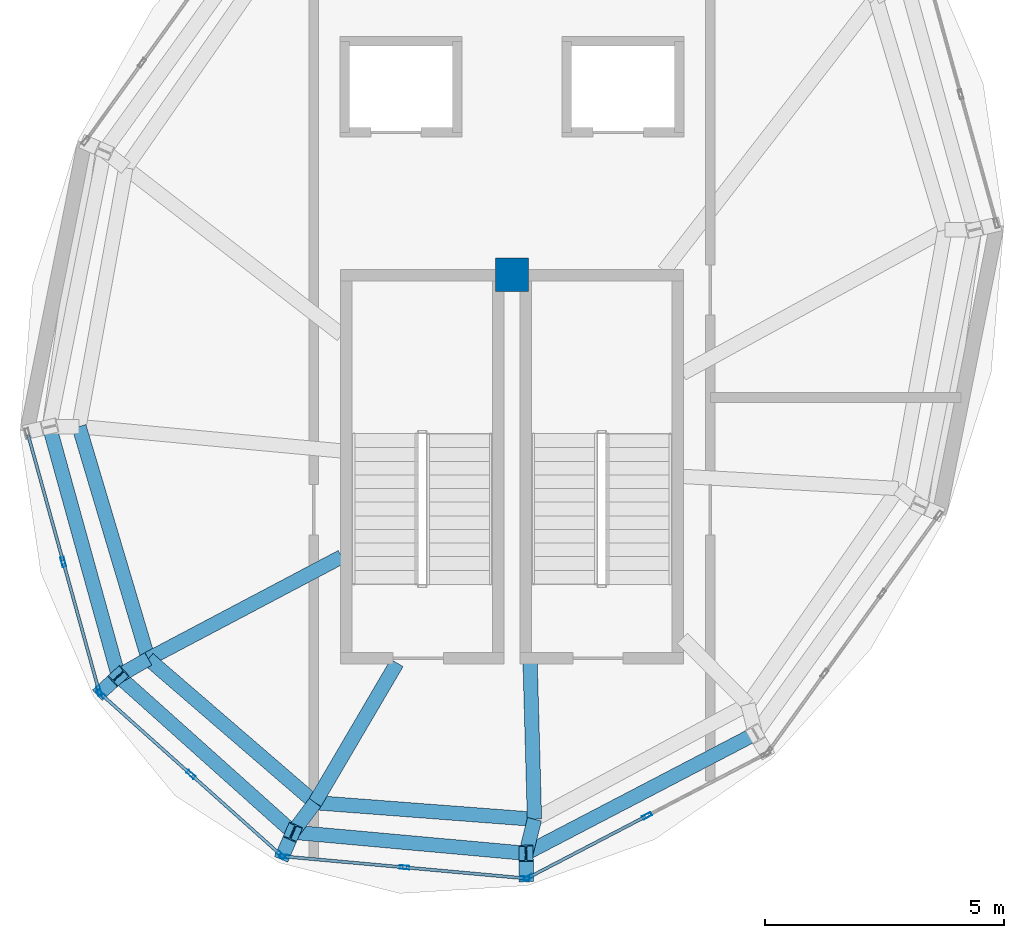
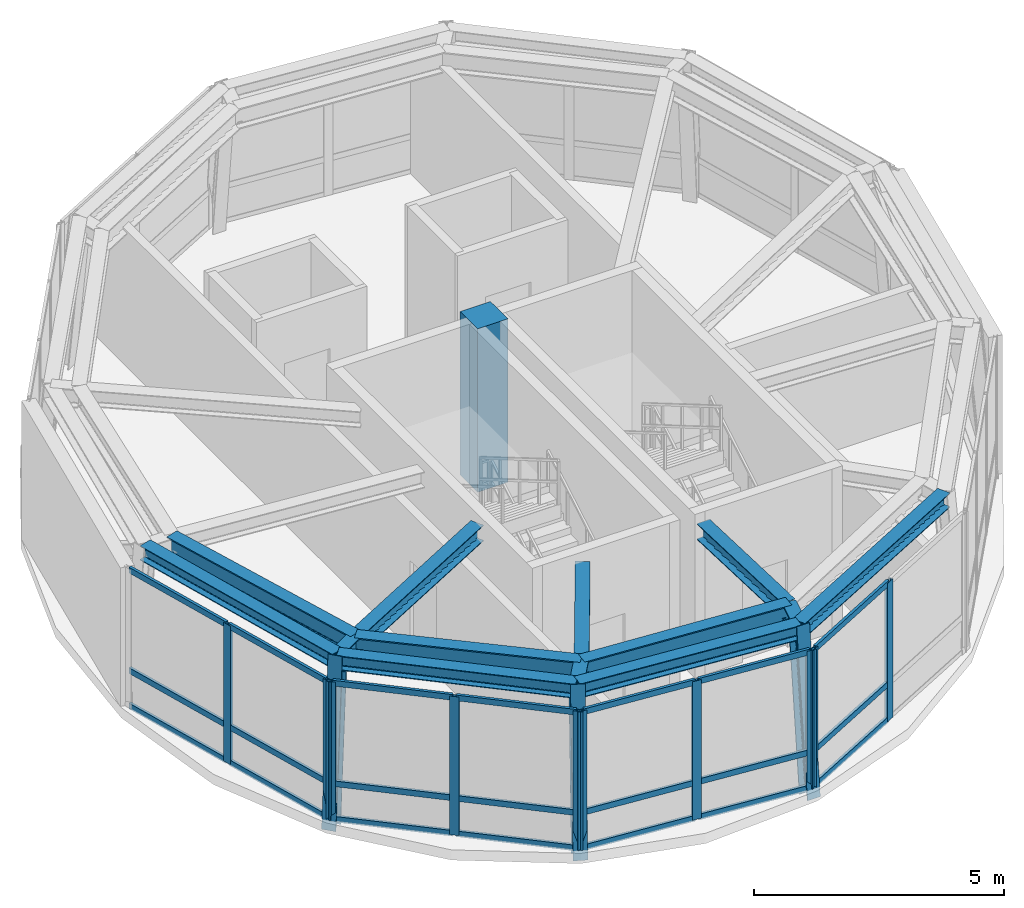
# One storey, part 1 of 9: 34 members, 13 beams, 1 column, 4 elements without a shape of their own.
"""IFC4 building model written with IfcOpenShell, lengths in metres."""

from ifc_helpers import new_model, si_unit, direction, frame, origin, origin_2d, place, context, subcontext, project, spatial, rectangle, hollow_rectangle, i_section, extrude, material, layer, layer_set, material_profile, profile_set, type_object, element, aggregate, save


model = new_model("IFC4")

# Units and contexts
model_context = context("Model", 3, precision=1e-05, world=origin(), true_north=direction((0.0, 1.0)))
body_context = subcontext(model_context, "Body", "Model", "MODEL_VIEW")
ifc_project = project(units=[si_unit("LENGTHUNIT", "METRE"), si_unit("AREAUNIT", "SQUARE_METRE"), si_unit("VOLUMEUNIT", "CUBIC_METRE"), si_unit("PLANEANGLEUNIT", "RADIAN"), si_unit("MASSUNIT", "GRAM", prefix="KILO"), si_unit("THERMODYNAMICTEMPERATUREUNIT", "KELVIN"), si_unit("POWERUNIT", "WATT")], contexts=[model_context])

# Site, building, storey
site_placement = place(None, origin())
site = spatial("IfcSite", under=ifc_project, at=site_placement, CompositionType="ELEMENT")
building_placement = place(site_placement, origin())
building = spatial("IfcBuilding", under=site, at=building_placement, Name="Ocrelia Relay Tower", CompositionType="ELEMENT")
storey_placement = place(building_placement, frame((0.0, 0.0, 304.0)))
storey = spatial("IfcBuildingStorey", under=building, at=storey_placement, Name="L76", CompositionType="ELEMENT", Elevation=304.0)

# Column
ifc_material_1 = material(Name="Concrete C50/60", Category="concrete")
ifc_material_profile_1 = material_profile(ifc_material_1, rectangle(XDim=0.699951171875, YDim=0.699951171875, at=origin_2d()), Name="RC-COL-700x700")
ifc_profile_set_1 = profile_set([ifc_material_profile_1], Name="Concrete C50/60")
column_type = type_object("IfcColumnType", Name="COL-CC-700", PredefinedType="COLUMN", material=ifc_profile_set_1)
column_placement = place(storey_placement, frame((34.0, 27.1201171875, 0.0), z_axis=(0.0, 0.0, 1.0), x_axis=(1.0, 0.0, 0.0)))
element("IfcColumn", 1, at=column_placement, inside=storey, type_object=column_type, Name="L76 Crown Central Spine Column", PredefinedType="COLUMN", context=body_context, shape_type="SweptSolid", body=[
    extrude(rectangle(XDim=0.699951171875, YDim=0.699951171875, at=origin_2d()), origin(), (0.0, 0.0, 1.0), 4.0),
])

# Beams
ifc_material_2 = material(Name="Steel S355", Category="steel")
ifc_material_profile_2 = material_profile(ifc_material_2, i_section(OverallWidth=0.300048828125, OverallDepth=0.35009765625, WebThickness=0.010009765625, FlangeThickness=0.017578125, FilletRadius=0.027099609375, at=origin_2d()), Name="HEA 360")
ifc_profile_set_2 = profile_set([ifc_material_profile_2], Name="Steel S355")
beam_type_1 = type_object("IfcBeamType", Name="BM-HEA360", PredefinedType="SPANDREL", material=ifc_profile_set_2)
beam_1_placement = place(storey_placement, frame((24.3212890625, 23.9384765625, 3.574951171875), z_axis=(0.266580706367, -0.96381259952, 0.0), x_axis=(0.96381259952, 0.266580706367, 0.0)))
element("IfcBeam", 2, at=beam_1_placement, inside=storey, type_object=beam_type_1, Name="L76 Crown Faceted Ring Beam R05", PredefinedType="SPANDREL", context=body_context, shape_type="SweptSolid", body=[
    extrude(i_section(OverallWidth=0.300048828125, OverallDepth=0.35009765625, WebThickness=0.010009765625, FlangeThickness=0.017578125, FilletRadius=0.027099609375, at=origin_2d()), origin(), (0.0, 0.0, 1.0), 5.413330078125),
])
beam_2_placement = place(storey_placement, frame((25.764404296875, 18.720947265625, 3.574951171875), z_axis=(0.745100519498, -0.666952184076, 0.0), x_axis=(0.666952184076, 0.745100519498, 0.0)))
element("IfcBeam", 3, at=beam_2_placement, inside=storey, type_object=beam_type_1, Name="L76 Crown Faceted Ring Beam R06", PredefinedType="SPANDREL", context=body_context, shape_type="SweptSolid", body=[
    extrude(i_section(OverallWidth=0.300048828125, OverallDepth=0.35009765625, WebThickness=0.010009765625, FlangeThickness=0.017578125, FilletRadius=0.027099609375, at=origin_2d()), origin(), (0.0, 0.0, 1.0), 4.8984375),
])
beam_3_placement = place(storey_placement, frame((29.414306640625, 15.453857421875, 3.574951171875), z_axis=(0.995932328639, -0.090104366002, 0.0), x_axis=(0.090104366002, 0.995932328639, 0.0)))
element("IfcBeam", 4, at=beam_3_placement, inside=storey, type_object=beam_type_1, Name="L76 Crown Faceted Ring Beam R07", PredefinedType="SPANDREL", context=body_context, shape_type="SweptSolid", body=[
    extrude(i_section(OverallWidth=0.300048828125, OverallDepth=0.35009765625, WebThickness=0.010009765625, FlangeThickness=0.017578125, FilletRadius=0.027099609375, at=origin_2d()), origin(), (0.0, 0.0, 1.0), 4.89892578125),
])
beam_4_placement = place(storey_placement, frame((34.293212890625, 15.012451171875, 3.574951171875), z_axis=(0.886694185125, 0.462356379935, 0.0), x_axis=(-0.462356379935, 0.886694185125, 0.0)))
element("IfcBeam", 5, at=beam_4_placement, inside=storey, type_object=beam_type_1, Name="L76 Crown Faceted Ring Beam R08", PredefinedType="SPANDREL", context=body_context, shape_type="SweptSolid", body=[
    extrude(i_section(OverallWidth=0.300048828125, OverallDepth=0.35009765625, WebThickness=0.010009765625, FlangeThickness=0.017578125, FilletRadius=0.027099609375, at=origin_2d()), origin(), (0.0, 0.0, 1.0), 5.413330078125),
])
ifc_material_profile_3 = material_profile(ifc_material_2, i_section(OverallWidth=0.300048828125, OverallDepth=0.389892578125, WebThickness=0.010986328125, FlangeThickness=0.01904296875, FilletRadius=0.027099609375, at=origin_2d()), Name="HEA 400")
ifc_profile_set_3 = profile_set([ifc_material_profile_3], Name="Steel S355")
beam_type_2 = type_object("IfcBeamType", Name="BM-HEA400", PredefinedType="SPANDREL", material=ifc_profile_set_3)
beam_5_placement = place(storey_placement, frame((26.389404296875, 19.079833984375, 3.554931640625), z_axis=(0.884226232433, 0.467058850551, 0.0), x_axis=(-0.467058850551, 0.884226232433, 0.0)))
element("IfcBeam", 6, at=beam_5_placement, inside=storey, type_object=beam_type_2, Name="L76 Crown Radial Floor Beam 06", PredefinedType="SPANDREL", context=body_context, shape_type="SweptSolid", body=[
    extrude(i_section(OverallWidth=0.300048828125, OverallDepth=0.389892578125, WebThickness=0.010986328125, FlangeThickness=0.01904296875, FilletRadius=0.027099609375, at=origin_2d()), origin(), (0.0, 0.0, 1.0), 4.575439453125),
])
beam_6_placement = place(storey_placement, frame((29.87744140625, 16.072021484375, 3.554931640625), z_axis=(0.505952439004, 0.862561377217, 0.0), x_axis=(-0.862561377217, 0.505952439004, 0.0)))
element("IfcBeam", 7, at=beam_6_placement, inside=storey, type_object=beam_type_2, Name="L76 Crown Radial Floor Beam 07", PredefinedType="SPANDREL", context=body_context, shape_type="SweptSolid", body=[
    extrude(i_section(OverallWidth=0.300048828125, OverallDepth=0.389892578125, WebThickness=0.010986328125, FlangeThickness=0.01904296875, FilletRadius=0.027099609375, at=origin_2d()), origin(), (0.0, 0.0, 1.0), 3.388916015625),
])
beam_7_placement = place(storey_placement, frame((34.47021484375, 15.72412109375, 3.554931640625), z_axis=(-0.027605537466, 0.99961889453, 0.0), x_axis=(-0.99961889453, -0.027605537466, 0.0)))
element("IfcBeam", 8, at=beam_7_placement, inside=storey, type_object=beam_type_2, Name="L76 Crown Radial Floor Beam 08", PredefinedType="SPANDREL", context=body_context, shape_type="SweptSolid", body=[
    extrude(i_section(OverallWidth=0.300048828125, OverallDepth=0.389892578125, WebThickness=0.010986328125, FlangeThickness=0.01904296875, FilletRadius=0.027099609375, at=origin_2d()), origin(), (0.0, 0.0, 1.0), 3.272216796875),
])
ifc_material_profile_4 = material_profile(ifc_material_2, i_section(OverallWidth=0.300048828125, OverallDepth=0.449951171875, WebThickness=0.013916015625, FlangeThickness=0.02587890625, FilletRadius=0.027099609375, at=origin_2d()), Name="HEB 450")
ifc_profile_set_4 = profile_set([ifc_material_profile_4], Name="Steel S355")
beam_type_3 = type_object("IfcBeamType", Name="BM-HEB450", PredefinedType="BEAM", material=ifc_profile_set_4)
beam_8_placement = place(storey_placement, frame((25.764404296875, 18.720947265625, 3.52490234375), z_axis=(0.867198919728, 0.497961879688, 0.0), x_axis=(-0.497961879688, 0.867198919728, 0.0)))
element("IfcBeam", 9, at=beam_8_placement, inside=storey, type_object=beam_type_3, Name="L76 Crown Step Radial Beam ST06", PredefinedType="BEAM", context=body_context, shape_type="SweptSolid", body=[
    extrude(i_section(OverallWidth=0.300048828125, OverallDepth=0.449951171875, WebThickness=0.013916015625, FlangeThickness=0.02587890625, FilletRadius=0.027099609375, at=origin_2d()), origin(), (0.0, 0.0, 1.0), 0.720703125),
])
beam_9_placement = place(storey_placement, frame((29.414306640625, 15.453857421875, 3.52490234375), z_axis=(0.599595346551, 0.800303330241, 0.0), x_axis=(-0.800303330241, 0.599595346551, 0.0)))
element("IfcBeam", 10, at=beam_9_placement, inside=storey, type_object=beam_type_3, Name="L76 Crown Step Radial Beam ST07", PredefinedType="BEAM", context=body_context, shape_type="SweptSolid", body=[
    extrude(i_section(OverallWidth=0.300048828125, OverallDepth=0.449951171875, WebThickness=0.013916015625, FlangeThickness=0.02587890625, FilletRadius=0.027099609375, at=origin_2d()), origin(), (0.0, 0.0, 1.0), 0.7724609375),
])
beam_10_placement = place(storey_placement, frame((34.293212890625, 15.012451171875, 3.52490234375), z_axis=(0.241360467191, 0.970435533602, 0.0), x_axis=(-0.970435533602, 0.241360467191, 0.0)))
element("IfcBeam", 11, at=beam_10_placement, inside=storey, type_object=beam_type_3, Name="L76 Crown Step Radial Beam ST08", PredefinedType="BEAM", context=body_context, shape_type="SweptSolid", body=[
    extrude(i_section(OverallWidth=0.300048828125, OverallDepth=0.449951171875, WebThickness=0.013916015625, FlangeThickness=0.02587890625, FilletRadius=0.027099609375, at=origin_2d()), origin(), (0.0, 0.0, 1.0), 0.7333984375),
])
ifc_material_profile_5 = material_profile(ifc_material_2, i_section(OverallWidth=0.300048828125, OverallDepth=0.5, WebThickness=0.014404296875, FlangeThickness=0.028076171875, FilletRadius=0.027099609375, at=origin_2d()), Name="HEB 500")
ifc_profile_set_5 = profile_set([ifc_material_profile_5], Name="Steel S355")
beam_type_4 = type_object("IfcBeamType", Name="BM-HEB500", PredefinedType="BEAM", material=ifc_profile_set_5)
beam_11_placement = place(storey_placement, frame((24.9404296875, 23.94189453125, 3.5), z_axis=(0.285603541902, -0.958347857958, 0.0), x_axis=(0.958347857958, 0.285603541902, 0.0)))
element("IfcBeam", 12, at=beam_11_placement, inside=storey, type_object=beam_type_4, Name="L76 Crown Step Perimeter Ring Beam SR05", PredefinedType="BEAM", context=body_context, shape_type="SweptSolid", body=[
    extrude(i_section(OverallWidth=0.300048828125, OverallDepth=0.5, WebThickness=0.014404296875, FlangeThickness=0.028076171875, FilletRadius=0.027099609375, at=origin_2d()), origin(), (0.0, 0.0, 1.0), 5.073486328125),
])
beam_12_placement = place(storey_placement, frame((26.389404296875, 19.079833984375, 3.5), z_axis=(0.757315039468, -0.653049715562, 0.0), x_axis=(0.653049715562, 0.757315039468, 0.0)))
element("IfcBeam", 13, at=beam_12_placement, inside=storey, type_object=beam_type_4, Name="L76 Crown Step Perimeter Ring Beam SR06", PredefinedType="BEAM", context=body_context, shape_type="SweptSolid", body=[
    extrude(i_section(OverallWidth=0.300048828125, OverallDepth=0.5, WebThickness=0.014404296875, FlangeThickness=0.028076171875, FilletRadius=0.027099609375, at=origin_2d()), origin(), (0.0, 0.0, 1.0), 4.605712890625),
])
beam_13_placement = place(storey_placement, frame((29.87744140625, 16.072021484375, 3.5), z_axis=(0.997143292946, -0.075533127389, 0.0), x_axis=(0.075533127389, 0.997143292946, 0.0)))
element("IfcBeam", 14, at=beam_13_placement, inside=storey, type_object=beam_type_4, Name="L76 Crown Step Perimeter Ring Beam SR07", PredefinedType="BEAM", context=body_context, shape_type="SweptSolid", body=[
    extrude(i_section(OverallWidth=0.300048828125, OverallDepth=0.5, WebThickness=0.014404296875, FlangeThickness=0.028076171875, FilletRadius=0.027099609375, at=origin_2d()), origin(), (0.0, 0.0, 1.0), 4.60595703125),
])

# Curtain wall, members
ifc_material_3 = material(Name="Aluminium and solar-control low-E glass", Category="aluminium")
ifc_layer = layer(ifc_material_3, 0.179931640625, Name="Aluminium and solar-control low-E glass")
ifc_layer_set = layer_set([ifc_layer], Name="Aluminium and solar-control low-E glass")
curtain_wall_type = type_object("IfcCurtainWallType", Name="CW-SYS-CROWN-PT", PredefinedType="NOTDEFINED", material=ifc_layer_set)
curtain_wall_1_placement = place(storey_placement, origin())
curtain_wall_1 = element("IfcCurtainWall", 15, at=curtain_wall_1_placement, inside=storey, type_object=curtain_wall_type, Name="L76 Faceted Glass-Point Crown Curtain Wall 05", PredefinedType="NOTDEFINED")
ifc_material_4 = material(Name="Anodised bronze aluminium", Category="aluminium")
ifc_material_profile_6 = material_profile(ifc_material_4, hollow_rectangle(XDim=0.074951171875, YDim=0.199951171875, WallThickness=0.006103515625, at=origin_2d()), Name="CW-MUL-200x75")
ifc_profile_set_6 = profile_set([ifc_material_profile_6], Name="Anodised bronze aluminium")
member_type_1 = type_object("IfcMemberType", Name="CW-SYS-CROWN-PT-MUL", PredefinedType="MULLION", material=ifc_profile_set_6)
member_1_placement = place(storey_placement, frame((24.611083984375, 21.107666015625, 0.0), z_axis=(0.0, 0.0, 1.0), x_axis=(0.963737274825, 0.266852890397, 0.0)))
member_1 = element("IfcMember", 16, at=member_1_placement, type_object=member_type_1, Name="CW-CR mullion 2", PredefinedType="MULLION", context=body_context, shape_type="SweptSolid", body=[
    extrude(hollow_rectangle(XDim=0.074951171875, YDim=0.199951171875, WallThickness=0.006103515625, at=origin_2d()), origin(), (0.0, 0.0, 1.0), 3.389892578125),
])
member_2_placement = place(storey_placement, frame((25.358154296875, 18.409912109375, 0.0), z_axis=(0.0, 0.0, 1.0), x_axis=(0.963737274825, 0.266852890397, 0.0)))
member_2 = element("IfcMember", 17, at=member_2_placement, type_object=member_type_1, Name="CW-CR mullion 3", PredefinedType="MULLION", context=body_context, shape_type="SweptSolid", body=[
    extrude(hollow_rectangle(XDim=0.074951171875, YDim=0.199951171875, WallThickness=0.006103515625, at=origin_2d()), origin(), (0.0, 0.0, 1.0), 3.389892578125),
])

curtain_wall_2_placement = place(storey_placement, origin())
curtain_wall_2 = element("IfcCurtainWall", 18, at=curtain_wall_2_placement, inside=storey, type_object=curtain_wall_type, Name="L76 Faceted Glass-Point Crown Curtain Wall 06", PredefinedType="NOTDEFINED")
member_3_placement = place(storey_placement, frame((25.39599609375, 18.348876953125, 0.0), z_axis=(0.0, 0.0, 1.0), x_axis=(0.666821042262, 0.745217885988, 0.0)))
member_3 = element("IfcMember", 19, at=member_3_placement, type_object=member_type_1, Name="CW-CR mullion 1", PredefinedType="MULLION", context=body_context, shape_type="SweptSolid", body=[
    extrude(hollow_rectangle(XDim=0.074951171875, YDim=0.199951171875, WallThickness=0.006103515625, at=origin_2d()), origin(), (0.0, 0.0, 1.0), 3.389892578125),
])
member_4_placement = place(storey_placement, frame((27.281494140625, 16.66162109375, 0.0), z_axis=(0.0, 0.0, 1.0), x_axis=(0.666821042262, 0.745217885988, 0.0)))
member_4 = element("IfcMember", 20, at=member_4_placement, type_object=member_type_1, Name="CW-CR mullion 2", PredefinedType="MULLION", context=body_context, shape_type="SweptSolid", body=[
    extrude(hollow_rectangle(XDim=0.074951171875, YDim=0.199951171875, WallThickness=0.006103515625, at=origin_2d()), origin(), (0.0, 0.0, 1.0), 3.389892578125),
])
member_5_placement = place(storey_placement, frame((29.167236328125, 14.974365234375, 0.0), z_axis=(0.0, 0.0, 1.0), x_axis=(0.666821042262, 0.745217885988, 0.0)))
member_5 = element("IfcMember", 21, at=member_5_placement, type_object=member_type_1, Name="CW-CR mullion 3", PredefinedType="MULLION", context=body_context, shape_type="SweptSolid", body=[
    extrude(hollow_rectangle(XDim=0.074951171875, YDim=0.199951171875, WallThickness=0.006103515625, at=origin_2d()), origin(), (0.0, 0.0, 1.0), 3.389892578125),
])

curtain_wall_3_placement = place(storey_placement, origin())
curtain_wall_3 = element("IfcCurtainWall", 22, at=curtain_wall_3_placement, inside=storey, type_object=curtain_wall_type, Name="L76 Faceted Glass-Point Crown Curtain Wall 07", PredefinedType="NOTDEFINED")
member_6_placement = place(storey_placement, frame((29.232421875, 14.946044921875, 0.0), z_axis=(0.0, 0.0, 1.0), x_axis=(0.090237264433, 0.995920296062, 0.0)))
member_6 = element("IfcMember", 23, at=member_6_placement, type_object=member_type_1, Name="CW-CR mullion 1", PredefinedType="MULLION", context=body_context, shape_type="SweptSolid", body=[
    extrude(hollow_rectangle(XDim=0.074951171875, YDim=0.199951171875, WallThickness=0.006103515625, at=origin_2d()), origin(), (0.0, 0.0, 1.0), 3.389892578125),
])
member_7_placement = place(storey_placement, frame((31.752197265625, 14.7177734375, 0.0), z_axis=(0.0, 0.0, 1.0), x_axis=(0.090237264433, 0.995920296062, 0.0)))
member_7 = element("IfcMember", 24, at=member_7_placement, type_object=member_type_1, Name="CW-CR mullion 2", PredefinedType="MULLION", context=body_context, shape_type="SweptSolid", body=[
    extrude(hollow_rectangle(XDim=0.074951171875, YDim=0.199951171875, WallThickness=0.006103515625, at=origin_2d()), origin(), (0.0, 0.0, 1.0), 3.389892578125),
])
member_8_placement = place(storey_placement, frame((34.272216796875, 14.489501953125, 0.0), z_axis=(0.0, 0.0, 1.0), x_axis=(0.090237264433, 0.995920296062, 0.0)))
member_8 = element("IfcMember", 25, at=member_8_placement, type_object=member_type_1, Name="CW-CR mullion 3", PredefinedType="MULLION", context=body_context, shape_type="SweptSolid", body=[
    extrude(hollow_rectangle(XDim=0.074951171875, YDim=0.199951171875, WallThickness=0.006103515625, at=origin_2d()), origin(), (0.0, 0.0, 1.0), 3.389892578125),
])

curtain_wall_4_placement = place(storey_placement, origin())
curtain_wall_4 = element("IfcCurtainWall", 26, at=curtain_wall_4_placement, inside=storey, type_object=curtain_wall_type, Name="L76 Faceted Glass-Point Crown Curtain Wall 08", PredefinedType="NOTDEFINED")
member_9_placement = place(storey_placement, frame((34.3427734375, 14.50341796875, 0.0), z_axis=(0.0, 0.0, 1.0), x_axis=(-0.462104539137, 0.886825459101, 0.0)))
member_9 = element("IfcMember", 27, at=member_9_placement, type_object=member_type_1, Name="CW-CR mullion 1", PredefinedType="MULLION", context=body_context, shape_type="SweptSolid", body=[
    extrude(hollow_rectangle(XDim=0.074951171875, YDim=0.199951171875, WallThickness=0.006103515625, at=origin_2d()), origin(), (0.0, 0.0, 1.0), 3.389892578125),
])
member_10_placement = place(storey_placement, frame((36.8251953125, 15.796875, 0.0), z_axis=(0.0, 0.0, 1.0), x_axis=(-0.462104539137, 0.886825459101, 0.0)))
member_10 = element("IfcMember", 28, at=member_10_placement, type_object=member_type_1, Name="CW-CR mullion 2", PredefinedType="MULLION", context=body_context, shape_type="SweptSolid", body=[
    extrude(hollow_rectangle(XDim=0.074951171875, YDim=0.199951171875, WallThickness=0.006103515625, at=origin_2d()), origin(), (0.0, 0.0, 1.0), 3.389892578125),
])

# Member
ifc_material_profile_7 = material_profile(ifc_material_4, hollow_rectangle(XDim=0.06494140625, YDim=0.139892578125, WallThickness=0.0048828125, at=origin_2d()), Name="CW-TRN-140x65")
ifc_profile_set_7 = profile_set([ifc_material_profile_7], Name="Anodised bronze aluminium")
member_type_2 = type_object("IfcMemberType", Name="CW-SYS-CROWN-PT-TRN", PredefinedType="USERDEFINED", material=ifc_profile_set_7)
member_11_placement = place(storey_placement, frame((23.8740234375, 23.769287109375, 0.032470703125), z_axis=(0.26687652196, -0.963730731079, 0.0), x_axis=(0.963730731079, 0.26687652196, 0.0)))
member_11 = element("IfcMember", 29, at=member_11_placement, type_object=member_type_2, Name="CW-CR transom 1.1", ObjectType="TRANSOM", PredefinedType="USERDEFINED", context=body_context, shape_type="SweptSolid", body=[
    extrude(hollow_rectangle(XDim=0.06494140625, YDim=0.139892578125, WallThickness=0.0048828125, at=origin_2d()), origin(), (0.0, 0.0, 1.0), 2.724365234375),
])

member_12_placement = place(storey_placement, frame((23.8740234375, 23.769287109375, 0.89990234375), z_axis=(0.26687652196, -0.963730731079, 0.0), x_axis=(0.963730731079, 0.26687652196, 0.0)))
member_12 = element("IfcMember", 30, at=member_12_placement, type_object=member_type_2, Name="CW-CR transom 1.2", ObjectType="TRANSOM", PredefinedType="USERDEFINED", context=body_context, shape_type="SweptSolid", body=[
    extrude(hollow_rectangle(XDim=0.06494140625, YDim=0.139892578125, WallThickness=0.0048828125, at=origin_2d()), origin(), (0.0, 0.0, 1.0), 2.724365234375),
])

member_13_placement = place(storey_placement, frame((23.8740234375, 23.769287109375, 3.357421875), z_axis=(0.26687652196, -0.963730731079, 0.0), x_axis=(0.963730731079, 0.26687652196, 0.0)))
member_13 = element("IfcMember", 31, at=member_13_placement, type_object=member_type_2, Name="CW-CR transom 1.3", ObjectType="TRANSOM", PredefinedType="USERDEFINED", context=body_context, shape_type="SweptSolid", body=[
    extrude(hollow_rectangle(XDim=0.06494140625, YDim=0.139892578125, WallThickness=0.0048828125, at=origin_2d()), origin(), (0.0, 0.0, 1.0), 2.724365234375),
])

member_14_placement = place(storey_placement, frame((24.62109375, 21.071533203125, 0.032470703125), z_axis=(0.26687652196, -0.963730731079, 0.0), x_axis=(0.963730731079, 0.26687652196, 0.0)))
member_14 = element("IfcMember", 32, at=member_14_placement, type_object=member_type_2, Name="CW-CR transom 2.1", ObjectType="TRANSOM", PredefinedType="USERDEFINED", context=body_context, shape_type="SweptSolid", body=[
    extrude(hollow_rectangle(XDim=0.06494140625, YDim=0.139892578125, WallThickness=0.0048828125, at=origin_2d()), origin(), (0.0, 0.0, 1.0), 2.724365234375),
])

member_15_placement = place(storey_placement, frame((24.62109375, 21.071533203125, 0.89990234375), z_axis=(0.26687652196, -0.963730731079, 0.0), x_axis=(0.963730731079, 0.26687652196, 0.0)))
member_15 = element("IfcMember", 33, at=member_15_placement, type_object=member_type_2, Name="CW-CR transom 2.2", ObjectType="TRANSOM", PredefinedType="USERDEFINED", context=body_context, shape_type="SweptSolid", body=[
    extrude(hollow_rectangle(XDim=0.06494140625, YDim=0.139892578125, WallThickness=0.0048828125, at=origin_2d()), origin(), (0.0, 0.0, 1.0), 2.724365234375),
])

member_16_placement = place(storey_placement, frame((24.62109375, 21.071533203125, 3.357421875), z_axis=(0.26687652196, -0.963730731079, 0.0), x_axis=(0.963730731079, 0.26687652196, 0.0)))
member_16 = element("IfcMember", 34, at=member_16_placement, type_object=member_type_2, Name="CW-CR transom 2.3", ObjectType="TRANSOM", PredefinedType="USERDEFINED", context=body_context, shape_type="SweptSolid", body=[
    extrude(hollow_rectangle(XDim=0.06494140625, YDim=0.139892578125, WallThickness=0.0048828125, at=origin_2d()), origin(), (0.0, 0.0, 1.0), 2.724365234375),
])

aggregate(curtain_wall_1, [member_1, member_2, member_11, member_12, member_13, member_14, member_15, member_16])

member_17_placement = place(storey_placement, frame((25.424072265625, 18.32373046875, 0.032470703125), z_axis=(0.745199700463, -0.666841365266, 0.0), x_axis=(0.666841365266, 0.745199700463, 0.0)))
member_17 = element("IfcMember", 35, at=member_17_placement, type_object=member_type_2, Name="CW-CR transom 1.1", ObjectType="TRANSOM", PredefinedType="USERDEFINED", context=body_context, shape_type="SweptSolid", body=[
    extrude(hollow_rectangle(XDim=0.06494140625, YDim=0.139892578125, WallThickness=0.0048828125, at=origin_2d()), origin(), (0.0, 0.0, 1.0), 2.455078125),
])

member_18_placement = place(storey_placement, frame((25.424072265625, 18.32373046875, 0.89990234375), z_axis=(0.745199700463, -0.666841365266, 0.0), x_axis=(0.666841365266, 0.745199700463, 0.0)))
member_18 = element("IfcMember", 36, at=member_18_placement, type_object=member_type_2, Name="CW-CR transom 1.2", ObjectType="TRANSOM", PredefinedType="USERDEFINED", context=body_context, shape_type="SweptSolid", body=[
    extrude(hollow_rectangle(XDim=0.06494140625, YDim=0.139892578125, WallThickness=0.0048828125, at=origin_2d()), origin(), (0.0, 0.0, 1.0), 2.455078125),
])

member_19_placement = place(storey_placement, frame((25.424072265625, 18.32373046875, 3.357421875), z_axis=(0.745199700463, -0.666841365266, 0.0), x_axis=(0.666841365266, 0.745199700463, 0.0)))
member_19 = element("IfcMember", 37, at=member_19_placement, type_object=member_type_2, Name="CW-CR transom 1.3", ObjectType="TRANSOM", PredefinedType="USERDEFINED", context=body_context, shape_type="SweptSolid", body=[
    extrude(hollow_rectangle(XDim=0.06494140625, YDim=0.139892578125, WallThickness=0.0048828125, at=origin_2d()), origin(), (0.0, 0.0, 1.0), 2.455078125),
])

member_20_placement = place(storey_placement, frame((27.3095703125, 16.636474609375, 0.032470703125), z_axis=(0.745249116169, -0.666786138766, 0.0), x_axis=(0.666786138766, 0.745249116169, 0.0)))
member_20 = element("IfcMember", 38, at=member_20_placement, type_object=member_type_2, Name="CW-CR transom 2.1", ObjectType="TRANSOM", PredefinedType="USERDEFINED", context=body_context, shape_type="SweptSolid", body=[
    extrude(hollow_rectangle(XDim=0.06494140625, YDim=0.139892578125, WallThickness=0.0048828125, at=origin_2d()), origin(), (0.0, 0.0, 1.0), 2.455078125),
])

member_21_placement = place(storey_placement, frame((27.3095703125, 16.636474609375, 0.89990234375), z_axis=(0.745249116169, -0.666786138766, 0.0), x_axis=(0.666786138766, 0.745249116169, 0.0)))
member_21 = element("IfcMember", 39, at=member_21_placement, type_object=member_type_2, Name="CW-CR transom 2.2", ObjectType="TRANSOM", PredefinedType="USERDEFINED", context=body_context, shape_type="SweptSolid", body=[
    extrude(hollow_rectangle(XDim=0.06494140625, YDim=0.139892578125, WallThickness=0.0048828125, at=origin_2d()), origin(), (0.0, 0.0, 1.0), 2.455078125),
])

member_22_placement = place(storey_placement, frame((27.3095703125, 16.636474609375, 3.357421875), z_axis=(0.745249116169, -0.666786138766, 0.0), x_axis=(0.666786138766, 0.745249116169, 0.0)))
member_22 = element("IfcMember", 40, at=member_22_placement, type_object=member_type_2, Name="CW-CR transom 2.3", ObjectType="TRANSOM", PredefinedType="USERDEFINED", context=body_context, shape_type="SweptSolid", body=[
    extrude(hollow_rectangle(XDim=0.06494140625, YDim=0.139892578125, WallThickness=0.0048828125, at=origin_2d()), origin(), (0.0, 0.0, 1.0), 2.455078125),
])

aggregate(curtain_wall_2, [member_3, member_4, member_5, member_17, member_18, member_19, member_20, member_21, member_22])

member_23_placement = place(storey_placement, frame((29.269775390625, 14.942626953125, 0.032470703125), z_axis=(0.995924122311, -0.090195025356, 0.0), x_axis=(0.090195025356, 0.995924122311, 0.0)))
member_23 = element("IfcMember", 41, at=member_23_placement, type_object=member_type_2, Name="CW-CR transom 1.1", ObjectType="TRANSOM", PredefinedType="USERDEFINED", context=body_context, shape_type="SweptSolid", body=[
    extrude(hollow_rectangle(XDim=0.06494140625, YDim=0.139892578125, WallThickness=0.0048828125, at=origin_2d()), origin(), (0.0, 0.0, 1.0), 2.455078125),
])

member_24_placement = place(storey_placement, frame((29.269775390625, 14.942626953125, 0.89990234375), z_axis=(0.995924122311, -0.090195025356, 0.0), x_axis=(0.090195025356, 0.995924122311, 0.0)))
member_24 = element("IfcMember", 42, at=member_24_placement, type_object=member_type_2, Name="CW-CR transom 1.2", ObjectType="TRANSOM", PredefinedType="USERDEFINED", context=body_context, shape_type="SweptSolid", body=[
    extrude(hollow_rectangle(XDim=0.06494140625, YDim=0.139892578125, WallThickness=0.0048828125, at=origin_2d()), origin(), (0.0, 0.0, 1.0), 2.455078125),
])

member_25_placement = place(storey_placement, frame((29.269775390625, 14.942626953125, 3.357421875), z_axis=(0.995924122311, -0.090195025356, 0.0), x_axis=(0.090195025356, 0.995924122311, 0.0)))
member_25 = element("IfcMember", 43, at=member_25_placement, type_object=member_type_2, Name="CW-CR transom 1.3", ObjectType="TRANSOM", PredefinedType="USERDEFINED", context=body_context, shape_type="SweptSolid", body=[
    extrude(hollow_rectangle(XDim=0.06494140625, YDim=0.139892578125, WallThickness=0.0048828125, at=origin_2d()), origin(), (0.0, 0.0, 1.0), 2.455078125),
])

member_26_placement = place(storey_placement, frame((31.78955078125, 14.71435546875, 0.032470703125), z_axis=(0.995915995406, -0.090284716836, 0.0), x_axis=(0.090284716836, 0.995915995406, 0.0)))
member_26 = element("IfcMember", 44, at=member_26_placement, type_object=member_type_2, Name="CW-CR transom 2.1", ObjectType="TRANSOM", PredefinedType="USERDEFINED", context=body_context, shape_type="SweptSolid", body=[
    extrude(hollow_rectangle(XDim=0.06494140625, YDim=0.139892578125, WallThickness=0.0048828125, at=origin_2d()), origin(), (0.0, 0.0, 1.0), 2.455322265625),
])

member_27_placement = place(storey_placement, frame((31.78955078125, 14.71435546875, 0.89990234375), z_axis=(0.995915995406, -0.090284716836, 0.0), x_axis=(0.090284716836, 0.995915995406, 0.0)))
member_27 = element("IfcMember", 45, at=member_27_placement, type_object=member_type_2, Name="CW-CR transom 2.2", ObjectType="TRANSOM", PredefinedType="USERDEFINED", context=body_context, shape_type="SweptSolid", body=[
    extrude(hollow_rectangle(XDim=0.06494140625, YDim=0.139892578125, WallThickness=0.0048828125, at=origin_2d()), origin(), (0.0, 0.0, 1.0), 2.455322265625),
])

member_28_placement = place(storey_placement, frame((31.78955078125, 14.71435546875, 3.357421875), z_axis=(0.995915995406, -0.090284716836, 0.0), x_axis=(0.090284716836, 0.995915995406, 0.0)))
member_28 = element("IfcMember", 46, at=member_28_placement, type_object=member_type_2, Name="CW-CR transom 2.3", ObjectType="TRANSOM", PredefinedType="USERDEFINED", context=body_context, shape_type="SweptSolid", body=[
    extrude(hollow_rectangle(XDim=0.06494140625, YDim=0.139892578125, WallThickness=0.0048828125, at=origin_2d()), origin(), (0.0, 0.0, 1.0), 2.455322265625),
])

aggregate(curtain_wall_3, [member_6, member_7, member_8, member_23, member_24, member_25, member_26, member_27, member_28])

member_29_placement = place(storey_placement, frame((34.3759765625, 14.520751953125, 0.032470703125), z_axis=(0.886846762795, 0.462063652887, 0.0), x_axis=(-0.462063652887, 0.886846762795, 0.0)))
member_29 = element("IfcMember", 47, at=member_29_placement, type_object=member_type_2, Name="CW-CR transom 1.1", ObjectType="TRANSOM", PredefinedType="USERDEFINED", context=body_context, shape_type="SweptSolid", body=[
    extrude(hollow_rectangle(XDim=0.06494140625, YDim=0.139892578125, WallThickness=0.0048828125, at=origin_2d()), origin(), (0.0, 0.0, 1.0), 2.724365234375),
])

member_30_placement = place(storey_placement, frame((34.3759765625, 14.520751953125, 0.89990234375), z_axis=(0.886846762795, 0.462063652887, 0.0), x_axis=(-0.462063652887, 0.886846762795, 0.0)))
member_30 = element("IfcMember", 48, at=member_30_placement, type_object=member_type_2, Name="CW-CR transom 1.2", ObjectType="TRANSOM", PredefinedType="USERDEFINED", context=body_context, shape_type="SweptSolid", body=[
    extrude(hollow_rectangle(XDim=0.06494140625, YDim=0.139892578125, WallThickness=0.0048828125, at=origin_2d()), origin(), (0.0, 0.0, 1.0), 2.724365234375),
])

member_31_placement = place(storey_placement, frame((34.3759765625, 14.520751953125, 3.357421875), z_axis=(0.886846762795, 0.462063652887, 0.0), x_axis=(-0.462063652887, 0.886846762795, 0.0)))
member_31 = element("IfcMember", 49, at=member_31_placement, type_object=member_type_2, Name="CW-CR transom 1.3", ObjectType="TRANSOM", PredefinedType="USERDEFINED", context=body_context, shape_type="SweptSolid", body=[
    extrude(hollow_rectangle(XDim=0.06494140625, YDim=0.139892578125, WallThickness=0.0048828125, at=origin_2d()), origin(), (0.0, 0.0, 1.0), 2.724365234375),
])

aggregate(curtain_wall_4, [member_9, member_10, member_29, member_30, member_31])

# Members
ifc_material_profile_8 = material_profile(ifc_material_2, i_section(OverallWidth=0.300048828125, OverallDepth=0.340087890625, WebThickness=0.011962890625, FlangeThickness=0.021484375, FilletRadius=0.027099609375, at=origin_2d()), Name="HEB 340")
ifc_profile_set_8 = profile_set([ifc_material_profile_8], Name="Steel S355")
member_type_3 = type_object("IfcMemberType", Name="MB-CROWN-RIB", PredefinedType="STRUT", material=ifc_profile_set_8)
member_32_placement = place(storey_placement, frame((25.448486328125, 18.433349609375, -0.25), z_axis=(0.078532839075, 0.071492800951, 0.994344695062), x_axis=(-0.673184623362, 0.73947445045, 0.0)))
element("IfcMember", 50, at=member_32_placement, inside=storey, type_object=member_type_3, Name="L76 Crown Faceted Structural Strut Rib CR06", PredefinedType="STRUT", context=body_context, shape_type="SweptSolid", body=[
    extrude(i_section(OverallWidth=0.300048828125, OverallDepth=0.340087890625, WebThickness=0.011962890625, FlangeThickness=0.021484375, FilletRadius=0.027099609375, at=origin_2d()), origin(), (0.0, 0.0, 1.0), 4.022705078125),
])
member_33_placement = place(storey_placement, frame((29.23486328125, 15.041015625, -0.25), z_axis=(0.044579431207, 0.10256301792, 0.993727076047), x_axis=(-0.917113162943, 0.398626951368, 0.0)))
element("IfcMember", 51, at=member_33_placement, inside=storey, type_object=member_type_3, Name="L76 Crown Faceted Structural Strut Rib CR07", PredefinedType="STRUT", context=body_context, shape_type="SweptSolid", body=[
    extrude(i_section(OverallWidth=0.300048828125, OverallDepth=0.340087890625, WebThickness=0.011962890625, FlangeThickness=0.021484375, FilletRadius=0.027099609375, at=origin_2d()), origin(), (0.0, 0.0, 1.0), 4.025146484375),
])
member_34_placement = place(storey_placement, frame((34.298095703125, 14.58544921875, -0.25), z_axis=(-0.001213805755, 0.106147313242, 0.994349674193), x_axis=(-0.999934625589, -0.011434358211, 0.0)))
element("IfcMember", 52, at=member_34_placement, inside=storey, type_object=member_type_3, Name="L76 Crown Faceted Structural Strut Rib CR08", PredefinedType="STRUT", context=body_context, shape_type="SweptSolid", body=[
    extrude(i_section(OverallWidth=0.300048828125, OverallDepth=0.340087890625, WebThickness=0.011962890625, FlangeThickness=0.021484375, FilletRadius=0.027099609375, at=origin_2d()), origin(), (0.0, 0.0, 1.0), 4.022705078125),
])

save(model, "model.ifc")
